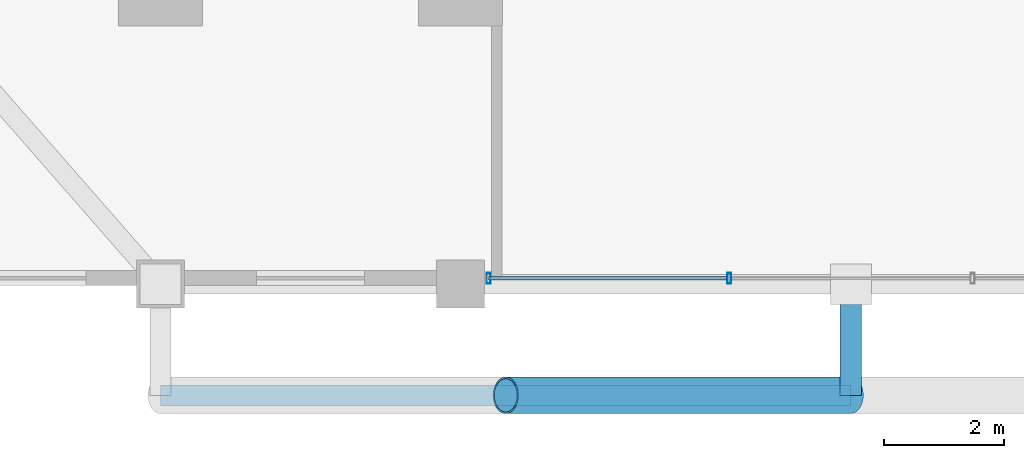
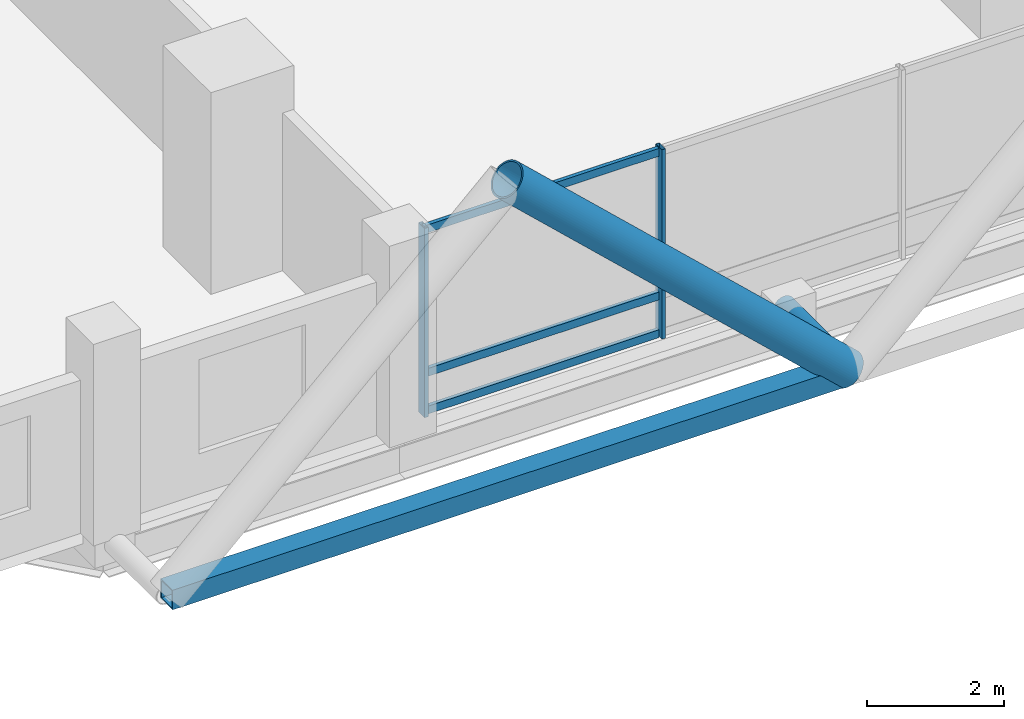
# One storey, part 2 of 27: 8 members, 1 element without a shape of its own.
"""IFC4 building model written with IfcOpenShell, lengths in metres."""

import ifcopenshell
import ifcopenshell.guid

model = None  # the IFC model being written
_history = None  # IfcOwnerHistory: only IFC2X3 demands one
_inside = {}  # id of a spatial element -> (the spatial element, [elements in it])
_under = {}  # id of a project, library or spatial element -> (it, [spatial elements below it])
_declared = {}  # id of a project -> (the project, [libraries it declares])
_typed = {}  # id of a type object -> (the type object, [elements of that type])
_made_of = {}  # id of a material, layer set ... -> (it, [elements and type objects made of it])


def new_model(schema):
    """Start an empty IFC model of exactly this schema.

    Asked for "IFC4X3", IfcOpenShell would pick the latest addendum, in which some entities
    have other attributes; the version numbers below select the first issue.
    IFC2X3 requires an IfcOwnerHistory on every rooted entity: one is made here for all.
    """
    global model, _history
    if schema == "IFC4X3":
        model = ifcopenshell.file(schema_version=(4, 3, 0, 0))
    else:
        model = ifcopenshell.file(schema=schema)
    _inside.clear()
    _under.clear()
    _declared.clear()
    _typed.clear()
    _made_of.clear()
    _history = None
    if model.schema == "IFC2X3":
        org = make("IfcOrganization", Name="unknown")
        user = make(
            "IfcPersonAndOrganization",
            ThePerson=make("IfcPerson", FamilyName="unknown"),
            TheOrganization=org,
        )
        app = make(
            "IfcApplication",
            ApplicationDeveloper=org,
            Version="unknown",
            ApplicationFullName="unknown",
            ApplicationIdentifier="unknown",
        )
        _history = make(
            "IfcOwnerHistory",
            OwningUser=user,
            OwningApplication=app,
            ChangeAction="ADDED",
            CreationDate=0,
        )
    return model


def make(cls, **values):
    """One entity of the class cls with the attributes given. An attribute that is None is left unset."""
    return model.create_entity(
        cls, **{name: value for name, value in values.items() if value is not None}
    )


def rooted(cls, **values):
    """An entity with a GlobalId (a new one), such as an element, a storey or a relation."""
    return make(cls, GlobalId=ifcopenshell.guid.new(), OwnerHistory=_history, **values)


def si_unit(unit_type, name, prefix=None):
    """IfcSIUnit, for example si_unit("LENGTHUNIT", "METRE", prefix="MILLI")."""
    return make("IfcSIUnit", UnitType=unit_type, Prefix=prefix, Name=name)


def assignment(units):
    """IfcUnitAssignment: the units of a project."""
    return None if units is None else make("IfcUnitAssignment", Units=units)


def point(xyz):
    """IfcCartesianPoint."""
    return None if xyz is None else make("IfcCartesianPoint", Coordinates=xyz)


def direction(xyz):
    """IfcDirection."""
    return None if xyz is None else make("IfcDirection", DirectionRatios=xyz)


def frame(location, z_axis=None, x_axis=None):
    """IfcAxis2Placement3D, a coordinate frame: its origin and axes. An axis left out is left unset."""
    return make(
        "IfcAxis2Placement3D",
        Location=point(location),
        Axis=direction(z_axis),
        RefDirection=direction(x_axis),
    )


def frame_2d(location, x_axis=None):
    """IfcAxis2Placement2D, a coordinate frame in the plane: its origin and x axis."""
    return make(
        "IfcAxis2Placement2D", Location=point(location), RefDirection=direction(x_axis)
    )


def origin():
    """The frame at (0, 0, 0) with its axes left unset."""
    return frame((0.0, 0.0, 0.0))


def origin_2d():
    """The frame at (0, 0) in the plane with its x axis left unset."""
    return frame_2d((0.0, 0.0))


def place(relative_to, where):
    """IfcLocalPlacement: puts the frame where relative to a parent placement (None: the world)."""
    return make(
        "IfcLocalPlacement", PlacementRelTo=relative_to, RelativePlacement=where
    )


def context(
    kind, dimensions, precision=None, world=None, true_north=None, identifier=None
):
    """IfcGeometricRepresentationContext, for example the 3D "Model" context."""
    return make(
        "IfcGeometricRepresentationContext",
        ContextIdentifier=identifier,
        ContextType=kind,
        CoordinateSpaceDimension=dimensions,
        Precision=precision,
        WorldCoordinateSystem=world,
        TrueNorth=true_north,
    )


def subcontext(parent, identifier, kind, view, scale=None):
    """IfcGeometricRepresentationSubContext, for example "Body" below "Model"."""
    return make(
        "IfcGeometricRepresentationSubContext",
        ContextIdentifier=identifier,
        ContextType=kind,
        ParentContext=parent,
        TargetScale=scale,
        TargetView=view,
    )


def project(units=None, contexts=None):
    """IfcProject with its units and contexts."""
    return rooted(
        "IfcProject",
        Name="project",
        RepresentationContexts=contexts,
        UnitsInContext=assignment(units),
    )


def spatial(cls, under=None, at=None, **own):
    """A site, building, storey or space (cls), placed at a placement, below another one or the project."""
    s = rooted(cls, ObjectPlacement=at, **own)
    if under is not None:
        _under.setdefault(under.id(), (under, []))[1].append(s)
    return s


def profile(cls, at=None, kind="AREA", **sizes):
    """A parametric profile (cls). Its sizes go by their IFC names, for example OverallWidth=200.0."""
    return make(cls, ProfileType=kind, Position=at, **sizes)


def hollow_rectangle(**sizes):
    """IfcRectangleHollowProfileDef."""
    return profile("IfcRectangleHollowProfileDef", **sizes)


def hollow_circle(**sizes):
    """IfcCircleHollowProfileDef."""
    return profile("IfcCircleHollowProfileDef", **sizes)


def extrude(swept, where, along, depth):
    """IfcExtrudedAreaSolid: the profile swept, set in the frame where, extruded along a direction by depth."""
    return make(
        "IfcExtrudedAreaSolid",
        SweptArea=swept,
        Position=where,
        ExtrudedDirection=direction(along),
        Depth=depth,
    )


def shape(context_of_items, identifier, shape_type, items):
    """IfcShapeRepresentation: the items that make up one representation, for example the "Body"."""
    return make(
        "IfcShapeRepresentation",
        ContextOfItems=context_of_items,
        RepresentationIdentifier=identifier,
        RepresentationType=shape_type,
        Items=items,
    )


def material(Name=None, Category=None):
    """IfcMaterial."""
    return make("IfcMaterial", Name=Name, Category=Category)


def layer(
    of_material, thickness, ventilated=None, Name=None, Category=None, Priority=None
):
    """IfcMaterialLayer: one layer of a wall or slab, of a material (None: an air gap)."""
    return make(
        "IfcMaterialLayer",
        Material=of_material,
        LayerThickness=thickness,
        IsVentilated=ventilated,
        Name=Name,
        Category=Category,
        Priority=Priority,
    )


def layer_set(layers, Name=None):
    """IfcMaterialLayerSet."""
    return make("IfcMaterialLayerSet", MaterialLayers=layers, LayerSetName=Name)


def material_profile(
    of_material, cross_section, Name=None, Category=None, Priority=None
):
    """IfcMaterialProfile: a cross section and its material."""
    return make(
        "IfcMaterialProfile",
        Name=Name,
        Material=of_material,
        Profile=cross_section,
        Priority=Priority,
        Category=Category,
    )


def profile_set(profiles, Name=None, composite=None):
    """IfcMaterialProfileSet."""
    return make(
        "IfcMaterialProfileSet",
        Name=Name,
        MaterialProfiles=profiles,
        CompositeProfile=composite,
    )


def made_of(thing, what):
    """Note that an element or type object is made of a material, layer set ...; save() writes the relation."""
    if what is not None:
        _made_of.setdefault(what.id(), (what, []))[1].append(thing)
    return thing


def type_object(cls, material=None, **own):
    """A type object (cls), such as IfcWallType, which elements share."""
    return made_of(rooted(cls, **own), material)


def element(
    cls,
    number,
    at=None,
    inside=None,
    cuts=None,
    type_object=None,
    material=None,
    context=None,
    identifier="Body",
    shape_type=None,
    held_by="IfcProductDefinitionShape",
    body=None,
    shapes=None,
    **own,
):
    """One element of the class cls, such as IfcWall. Its Tag is "e" and its number.

    at: its placement. inside: the storey or other place that contains it. cuts: it is an
    opening in that element (IfcRelVoidsElement). A single representation is given by context,
    identifier, shape_type and body (its items); several are given by shapes. held_by: the class
    of the entity that holds the representations. save() writes the other relations.
    """
    e = rooted(cls, Tag="e%d" % number, ObjectPlacement=at, **own)
    if body is not None:
        shapes = [shape(context, identifier, shape_type, body)]
    if shapes is not None:
        e.Representation = make(held_by, Representations=shapes)
    if inside is not None:
        _inside.setdefault(inside.id(), (inside, []))[1].append(e)
    if cuts is not None:
        rooted(
            "IfcRelVoidsElement", RelatingBuildingElement=cuts, RelatedOpeningElement=e
        )
    if type_object is not None:
        _typed.setdefault(type_object.id(), (type_object, []))[1].append(e)
    return made_of(e, material)


def aggregate(whole, parts):
    """IfcRelAggregates: a whole, such as a stair, and the parts it consists of."""
    return rooted("IfcRelAggregates", RelatingObject=whole, RelatedObjects=parts)


def save(model, path):
    """Write the relations noted so far, then the file.

    IfcRelAggregates (storeys below a building ...), IfcRelContainedInSpatialStructure (elements
    in a storey), IfcRelDefinesByType, IfcRelAssociatesMaterial and IfcRelDeclares: one each for
    every whole, place, type object, material and project.
    """
    for whole, parts in _under.values():
        aggregate(whole, parts)
    for where, things in _inside.values():
        rooted(
            "IfcRelContainedInSpatialStructure",
            RelatedElements=things,
            RelatingStructure=where,
        )
    for kind, things in _typed.values():
        rooted("IfcRelDefinesByType", RelatedObjects=things, RelatingType=kind)
    for what, things in _made_of.values():
        rooted("IfcRelAssociatesMaterial", RelatedObjects=things, RelatingMaterial=what)
    for by, libraries in _declared.values():
        rooted("IfcRelDeclares", RelatingContext=by, RelatedDefinitions=libraries)
    model.write(path)


model = new_model("IFC4")

# Units and contexts
model_context = context("Model", 3, precision=1e-05, world=origin(), true_north=direction((0.0, 1.0)))
body_context = subcontext(model_context, "Body", "Model", "MODEL_VIEW")
ifc_project = project(units=[si_unit("LENGTHUNIT", "METRE"), si_unit("AREAUNIT", "SQUARE_METRE"), si_unit("VOLUMEUNIT", "CUBIC_METRE"), si_unit("PLANEANGLEUNIT", "RADIAN"), si_unit("MASSUNIT", "GRAM", prefix="KILO")], contexts=[model_context])

# Site, building, storey
site_placement = place(None, origin())
site = spatial("IfcSite", under=ifc_project, at=site_placement, CompositionType="ELEMENT")
building_placement = place(site_placement, origin())
building = spatial("IfcBuilding", under=site, at=building_placement, Name="Barlavira Tower and Art Museum", CompositionType="ELEMENT")
storey_placement = place(building_placement, frame((0.0, 0.0, 61.199951171875)))
storey = spatial("IfcBuildingStorey", under=building, at=storey_placement, Name="L14", CompositionType="ELEMENT", Elevation=61.199951171875)

# Curtain wall, members
ifc_material_1 = material(Name="Low-iron coastal laminated glass", Category="glass")
ifc_layer = layer(ifc_material_1, 0.179931640625, Name="Low-iron coastal laminated glass")
ifc_layer_set = layer_set([ifc_layer], Name="Low-iron coastal laminated glass")
curtain_wall_type = type_object("IfcCurtainWallType", Name="Pale-Metal Unitised Curtain Wall Zone 1", PredefinedType="NOTDEFINED", material=ifc_layer_set)
curtain_wall_placement = place(storey_placement, origin())
curtain_wall = element("IfcCurtainWall", 1, at=curtain_wall_placement, inside=storey, type_object=curtain_wall_type, Name="L14 Curtain Wall CW1-L14-S-B3", PredefinedType="NOTDEFINED")
ifc_material_2 = material(Name="Pale anodised aluminium", Category="aluminium")
ifc_material_profile_1 = material_profile(ifc_material_2, hollow_rectangle(XDim=0.06494140625, YDim=0.179931640625, WallThickness=0.00390625, at=origin_2d()), Name="ALU-MULL 65x180x4")
ifc_profile_set_1 = profile_set([ifc_material_profile_1], Name="Pale anodised aluminium")
member_type_1 = type_object("IfcMemberType", Name="Curtain Wall Pale-Metal Mullion 65x180", PredefinedType="MULLION", material=ifc_profile_set_1)
member_1_placement = place(storey_placement, frame((-6.034912109375, -24.89990234375, 0.0), z_axis=(0.0, 0.0, 1.0), x_axis=(1.0, 0.0, 0.0)))
member_1 = element("IfcMember", 2, at=member_1_placement, type_object=member_type_1, Name="CW1-L14-S-B3 Mullion 0", PredefinedType="MULLION", context=body_context, shape_type="SweptSolid", body=[
    extrude(hollow_rectangle(XDim=0.06494140625, YDim=0.179931640625, WallThickness=0.00390625, at=origin_2d()), origin(), (0.0, 0.0, 1.0), 3.380126953125),
])
member_2_placement = place(storey_placement, frame((-2.026611328125, -24.89990234375, 0.0), z_axis=(0.0, 0.0, 1.0), x_axis=(1.0, 0.0, 0.0)))
member_2 = element("IfcMember", 3, at=member_2_placement, type_object=member_type_1, Name="CW1-L14-S-B3 Mullion 1", PredefinedType="MULLION", context=body_context, shape_type="SweptSolid", body=[
    extrude(hollow_rectangle(XDim=0.06494140625, YDim=0.179931640625, WallThickness=0.00390625, at=origin_2d()), origin(), (0.0, 0.0, 1.0), 3.380126953125),
])
ifc_material_profile_2 = material_profile(ifc_material_2, hollow_rectangle(XDim=0.06494140625, YDim=0.139892578125, WallThickness=0.00390625, at=origin_2d()), Name="ALU-TRAN 65x140x4")
ifc_profile_set_2 = profile_set([ifc_material_profile_2], Name="Pale anodised aluminium")
member_type_2 = type_object("IfcMemberType", Name="Curtain Wall Pale-Metal Transom 65x140", PredefinedType="USERDEFINED", material=ifc_profile_set_2)
member_3_placement = place(storey_placement, frame((-6.034912109375, -24.89990234375, 0.070068359375), z_axis=(1.0, 0.0, 0.0), x_axis=(0.0, 1.0, 0.0)))
member_3 = element("IfcMember", 4, at=member_3_placement, type_object=member_type_2, Name="CW1-L14-S-B3 Transom 0.1", ObjectType="TRANSOM", PredefinedType="USERDEFINED", context=body_context, shape_type="SweptSolid", body=[
    extrude(hollow_rectangle(XDim=0.06494140625, YDim=0.139892578125, WallThickness=0.00390625, at=origin_2d()), origin(), (0.0, 0.0, 1.0), 3.963134765625),
])
member_4_placement = place(storey_placement, frame((-6.034912109375, -24.89990234375, 0.744140625), z_axis=(1.0, 0.0, 0.0), x_axis=(0.0, 1.0, 0.0)))
member_4 = element("IfcMember", 5, at=member_4_placement, type_object=member_type_2, Name="CW1-L14-S-B3 Transom 0.2", ObjectType="TRANSOM", PredefinedType="USERDEFINED", context=body_context, shape_type="SweptSolid", body=[
    extrude(hollow_rectangle(XDim=0.06494140625, YDim=0.139892578125, WallThickness=0.00390625, at=origin_2d()), origin(), (0.0, 0.0, 1.0), 3.963134765625),
])
member_5_placement = place(storey_placement, frame((-6.034912109375, -24.89990234375, 3.31005859375), z_axis=(1.0, 0.0, 0.0), x_axis=(0.0, 1.0, 0.0)))
member_5 = element("IfcMember", 6, at=member_5_placement, type_object=member_type_2, Name="CW1-L14-S-B3 Transom 0.3", ObjectType="TRANSOM", PredefinedType="USERDEFINED", context=body_context, shape_type="SweptSolid", body=[
    extrude(hollow_rectangle(XDim=0.06494140625, YDim=0.139892578125, WallThickness=0.00390625, at=origin_2d()), origin(), (0.0, 0.0, 1.0), 3.963134765625),
])
aggregate(curtain_wall, [member_1, member_2, member_3, member_4, member_5])

# Members
ifc_material_3 = material(Name="Steel S355", Category="steel")
ifc_material_profile_3 = material_profile(ifc_material_3, hollow_circle(Radius=0.304931640625, WallThickness=0.028076171875, at=origin_2d()), Name="CHS 610.0x28.0")
ifc_profile_set_3 = profile_set([ifc_material_profile_3], Name="Steel S355")
member_type_3 = type_object("IfcMemberType", Name="Pale-Metal Exoskeleton Diagrid Tube CHS 610x28 Steel S355", PredefinedType="BRACE", material=ifc_profile_set_3)
member_6_placement = place(storey_placement, frame((0.0, -26.85009765625, -0.119873046875), z_axis=(-0.728950095515, 0.0, 0.684566839869), x_axis=(0.0, -1.0, 0.0)))
element("IfcMember", 7, at=member_6_placement, inside=storey, type_object=member_type_3, Name="L14 Exoskeleton Diagrid Tube S", PredefinedType="BRACE", context=body_context, shape_type="SweptSolid", body=[
    extrude(hollow_circle(Radius=0.304931640625, WallThickness=0.028076171875, at=origin_2d()), origin(), (0.0, 0.0, 1.0), 7.887939453125),
])
ifc_material_profile_4 = material_profile(ifc_material_3, hollow_rectangle(XDim=0.35009765625, YDim=0.35009765625, WallThickness=0.02001953125, at=origin_2d()), Name="SHS 350x350x20.0")
ifc_profile_set_4 = profile_set([ifc_material_profile_4], Name="Steel S355")
member_type_4 = type_object("IfcMemberType", Name="Pale-Metal Exoskeleton Ring Strut SHS 350x350x20 Steel S355", PredefinedType="STRUT", material=ifc_profile_set_4)
member_7_placement = place(storey_placement, frame((-11.5, -26.85009765625, -0.119873046875), z_axis=(1.0, 0.0, 0.0), x_axis=(0.0, 1.0, 0.0)))
element("IfcMember", 8, at=member_7_placement, inside=storey, type_object=member_type_4, Name="L14 Exoskeleton Ring Strut S", PredefinedType="STRUT", context=body_context, shape_type="SweptSolid", body=[
    extrude(hollow_rectangle(XDim=0.35009765625, YDim=0.35009765625, WallThickness=0.02001953125, at=origin_2d()), origin(), (0.0, 0.0, 1.0), 11.5),
])
ifc_material_profile_5 = material_profile(ifc_material_3, hollow_circle(Radius=0.177734375, WallThickness=0.01611328125, at=origin_2d()), Name="CHS 355.6x16.0")
ifc_profile_set_5 = profile_set([ifc_material_profile_5], Name="Steel S355")
member_type_5 = type_object("IfcMemberType", Name="Pale-Metal Exoskeleton Tie Strut CHS 356x16 Steel S355", PredefinedType="STRUT", material=ifc_profile_set_5)
member_8_placement = place(storey_placement, frame((0.0, -26.85009765625, -0.119873046875), z_axis=(0.0, 1.0, 0.0), x_axis=(-1.0, 0.0, 0.0)))
element("IfcMember", 9, at=member_8_placement, inside=storey, type_object=member_type_5, Name="L14 Exoskeleton Tie Strut S2", PredefinedType="STRUT", context=body_context, shape_type="SweptSolid", body=[
    extrude(hollow_circle(Radius=0.177734375, WallThickness=0.01611328125, at=origin_2d()), origin(), (0.0, 0.0, 1.0), 1.85009765625),
])

save(model, "model.ifc")
